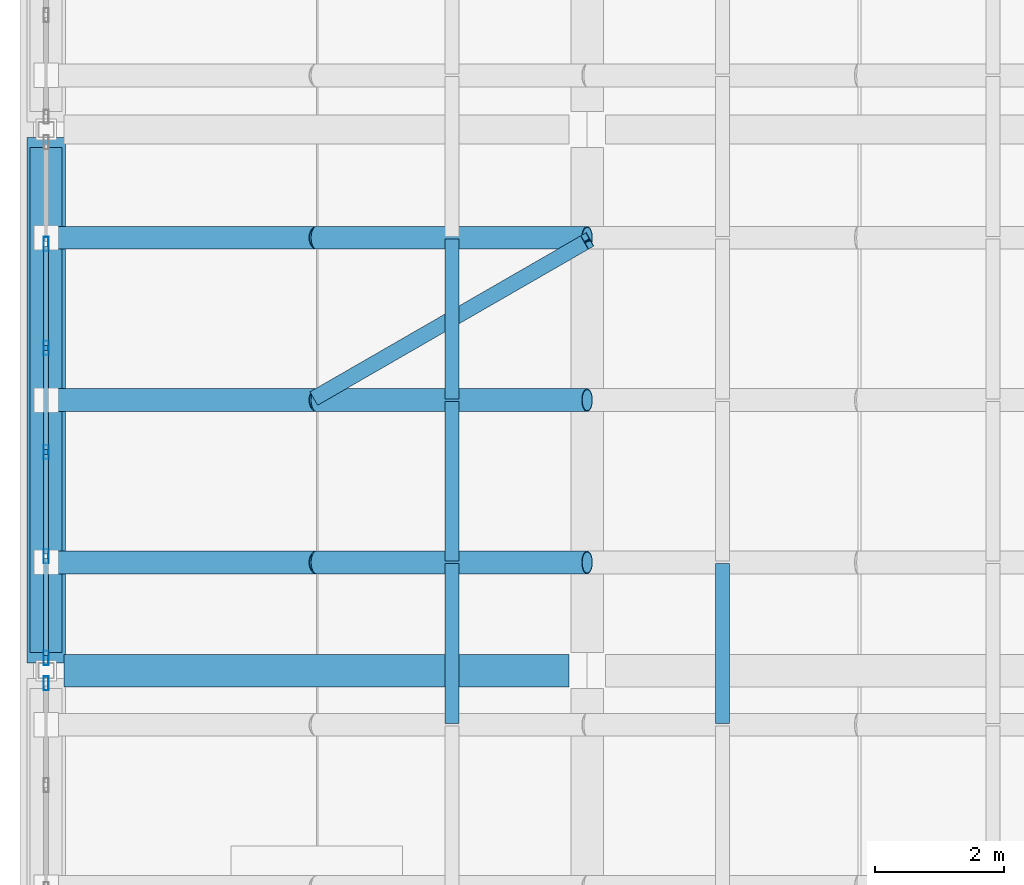
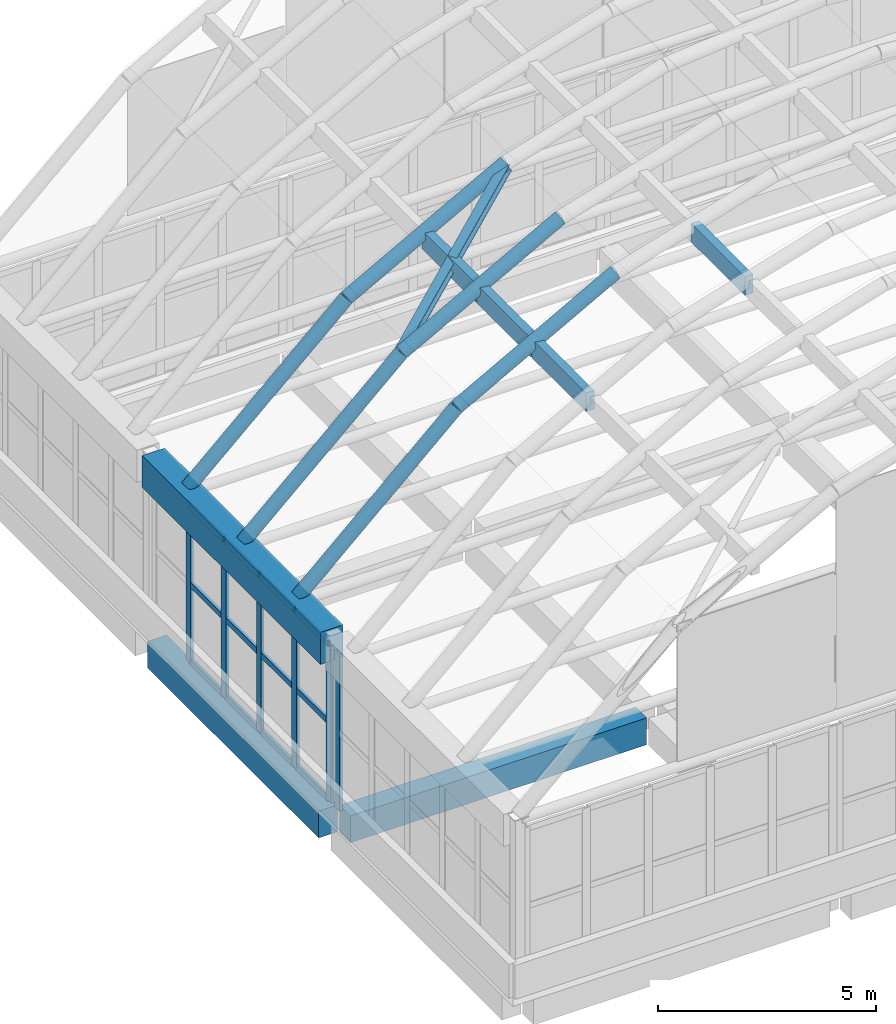
# One storey, part 5 of 26: 23 members, 9 beams, 2 elements without a shape of their own.
"""IFC4 building model written with IfcOpenShell, lengths in metres."""

from ifc_helpers import new_model, si_unit, direction, frame, origin, origin_2d, place, context, subcontext, project, spatial, rectangle, hollow_rectangle, hollow_circle, i_section, extrude, material, layer, layer_set, material_profile, profile_set, type_object, element, aggregate, save


model = new_model("IFC4")

# Units and contexts
model_context = context("Model", 3, precision=1e-05, world=origin(), true_north=direction((0.0, 1.0)))
body_context = subcontext(model_context, "Body", "Model", "MODEL_VIEW")
ifc_project = project(units=[si_unit("LENGTHUNIT", "METRE"), si_unit("AREAUNIT", "SQUARE_METRE"), si_unit("VOLUMEUNIT", "CUBIC_METRE"), si_unit("PLANEANGLEUNIT", "RADIAN"), si_unit("MASSUNIT", "GRAM", prefix="KILO")], contexts=[model_context])

# Site, building, storey
site_placement = place(None, origin())
site = spatial("IfcSite", under=ifc_project, at=site_placement, CompositionType="ELEMENT")
building_placement = place(site_placement, origin())
building = spatial("IfcBuilding", under=site, at=building_placement, Name="Xazarin Passage Department Store", CompositionType="ELEMENT")
storey_placement = place(building_placement, frame((0.0, 0.0, 36.89990234375)))
storey = spatial("IfcBuildingStorey", under=building, at=storey_placement, Name="RF", CompositionType="ELEMENT", Elevation=36.89990234375)

# Curtain wall, member
ifc_material_1 = material(Name="Bronze anodised aluminium", Category="aluminium")
ifc_layer = layer(ifc_material_1, 0.199951171875)
ifc_layer_set = layer_set([ifc_layer], Name="Bronze anodised aluminium")
curtain_wall_type = type_object("IfcCurtainWallType", Name="ARC-CW-VIT2", PredefinedType="NOTDEFINED", material=ifc_layer_set)
curtain_wall_1_placement = place(storey_placement, origin())
curtain_wall_1 = element("IfcCurtainWall", 1, at=curtain_wall_1_placement, inside=storey, type_object=curtain_wall_type, Name="RF V1 Atrium Lantern Curtain Wall 01", PredefinedType="NOTDEFINED")
ifc_material_profile_1 = material_profile(ifc_material_1, hollow_rectangle(XDim=0.074951171875, YDim=0.219970703125, WallThickness=0.0048828125, at=origin_2d()), Name="ALU 75x220")
ifc_profile_set_1 = profile_set([ifc_material_profile_1], Name="Bronze anodised aluminium")
member_type_1 = type_object("IfcMemberType", Name="ARC-CWM-75x220", PredefinedType="MULLION", material=ifc_profile_set_1)
member_1_placement = place(storey_placement, frame((0.0, 84.6025390625, 0.0), z_axis=(0.0, 0.0, 1.0), x_axis=(-1.0, 0.0, 0.0)))
member_1 = element("IfcMember", 2, at=member_1_placement, type_object=member_type_1, Name="CW2 mullion 6", PredefinedType="MULLION", context=body_context, shape_type="SweptSolid", body=[
    extrude(hollow_rectangle(XDim=0.074951171875, YDim=0.219970703125, WallThickness=0.0048828125, at=origin_2d()), origin(), (0.0, 0.0, 1.0), 4.404296875),
])
aggregate(curtain_wall_1, [member_1])

# Curtain wall, members
curtain_wall_2_placement = place(storey_placement, origin())
curtain_wall_2 = element("IfcCurtainWall", 3, at=curtain_wall_2_placement, inside=storey, type_object=curtain_wall_type, Name="RF V1 Atrium Lantern Curtain Wall 03", PredefinedType="NOTDEFINED")
member_2_placement = place(storey_placement, frame((0.0, 84.99755859375, 0.0), z_axis=(0.0, 0.0, 1.0), x_axis=(-1.0, 0.0, 0.0)))
member_2 = element("IfcMember", 4, at=member_2_placement, type_object=member_type_1, Name="CW2 mullion 1", PredefinedType="MULLION", context=body_context, shape_type="SweptSolid", body=[
    extrude(hollow_rectangle(XDim=0.074951171875, YDim=0.219970703125, WallThickness=0.0048828125, at=origin_2d()), origin(), (0.0, 0.0, 1.0), 4.404296875),
])
member_3_placement = place(storey_placement, frame((0.0, 86.575927734375, 0.0), z_axis=(0.0, 0.0, 1.0), x_axis=(-1.0, 0.0, 0.0)))
member_3 = element("IfcMember", 5, at=member_3_placement, type_object=member_type_1, Name="CW2 mullion 2", PredefinedType="MULLION", context=body_context, shape_type="SweptSolid", body=[
    extrude(hollow_rectangle(XDim=0.074951171875, YDim=0.219970703125, WallThickness=0.0048828125, at=origin_2d()), origin(), (0.0, 0.0, 1.0), 4.404296875),
])
member_4_placement = place(storey_placement, frame((0.0, 88.19189453125, 0.0), z_axis=(0.0, 0.0, 1.0), x_axis=(-1.0, 0.0, 0.0)))
member_4 = element("IfcMember", 6, at=member_4_placement, type_object=member_type_1, Name="CW2 mullion 3", PredefinedType="MULLION", context=body_context, shape_type="SweptSolid", body=[
    extrude(hollow_rectangle(XDim=0.074951171875, YDim=0.219970703125, WallThickness=0.0048828125, at=origin_2d()), origin(), (0.0, 0.0, 1.0), 4.404296875),
])
member_5_placement = place(storey_placement, frame((0.0, 89.80810546875, 0.0), z_axis=(0.0, 0.0, 1.0), x_axis=(-1.0, 0.0, 0.0)))
member_5 = element("IfcMember", 7, at=member_5_placement, type_object=member_type_1, Name="CW2 mullion 4", PredefinedType="MULLION", context=body_context, shape_type="SweptSolid", body=[
    extrude(hollow_rectangle(XDim=0.074951171875, YDim=0.219970703125, WallThickness=0.0048828125, at=origin_2d()), origin(), (0.0, 0.0, 1.0), 4.404296875),
])
member_6_placement = place(storey_placement, frame((0.0, 91.424072265625, 0.0), z_axis=(0.0, 0.0, 1.0), x_axis=(-1.0, 0.0, 0.0)))
member_6 = element("IfcMember", 8, at=member_6_placement, type_object=member_type_1, Name="CW2 mullion 5", PredefinedType="MULLION", context=body_context, shape_type="SweptSolid", body=[
    extrude(hollow_rectangle(XDim=0.074951171875, YDim=0.219970703125, WallThickness=0.0048828125, at=origin_2d()), origin(), (0.0, 0.0, 1.0), 4.404296875),
])
ifc_material_profile_2 = material_profile(ifc_material_1, hollow_rectangle(XDim=0.074951171875, YDim=0.159912109375, WallThickness=0.00439453125, at=origin_2d()), Name="ALU 75x160")
ifc_profile_set_2 = profile_set([ifc_material_profile_2], Name="Bronze anodised aluminium")
member_type_2 = type_object("IfcMemberType", Name="ARC-CWT-75x160", PredefinedType="USERDEFINED", material=ifc_profile_set_2)
member_7_placement = place(storey_placement, frame((0.0, 85.034912109375, 0.03759765625), z_axis=(0.0, 1.0, 0.0), x_axis=(-1.0, 0.0, 0.0)))
member_7 = element("IfcMember", 9, at=member_7_placement, type_object=member_type_2, Name="CW2 transom 1.1", ObjectType="TRANSOM", PredefinedType="USERDEFINED", context=body_context, shape_type="SweptSolid", body=[
    extrude(hollow_rectangle(XDim=0.074951171875, YDim=0.159912109375, WallThickness=0.00439453125, at=origin_2d()), origin(), (0.0, 0.0, 1.0), 1.503662109375),
])
member_8_placement = place(storey_placement, frame((0.0, 85.034912109375, 2.2021484375), z_axis=(0.0, 1.0, 0.0), x_axis=(-1.0, 0.0, 0.0)))
member_8 = element("IfcMember", 10, at=member_8_placement, type_object=member_type_2, Name="CW2 transom 1.2", ObjectType="TRANSOM", PredefinedType="USERDEFINED", context=body_context, shape_type="SweptSolid", body=[
    extrude(hollow_rectangle(XDim=0.074951171875, YDim=0.159912109375, WallThickness=0.00439453125, at=origin_2d()), origin(), (0.0, 0.0, 1.0), 1.503662109375),
])
member_9_placement = place(storey_placement, frame((0.0, 85.034912109375, 4.36669921875), z_axis=(0.0, 1.0, 0.0), x_axis=(-1.0, 0.0, 0.0)))
member_9 = element("IfcMember", 11, at=member_9_placement, type_object=member_type_2, Name="CW2 transom 1.3", ObjectType="TRANSOM", PredefinedType="USERDEFINED", context=body_context, shape_type="SweptSolid", body=[
    extrude(hollow_rectangle(XDim=0.074951171875, YDim=0.159912109375, WallThickness=0.00439453125, at=origin_2d()), origin(), (0.0, 0.0, 1.0), 1.503662109375),
])
member_10_placement = place(storey_placement, frame((0.0, 86.613525390625, 0.03759765625), z_axis=(0.0, 1.0, 0.0), x_axis=(-1.0, 0.0, 0.0)))
member_10 = element("IfcMember", 12, at=member_10_placement, type_object=member_type_2, Name="CW2 transom 2.1", ObjectType="TRANSOM", PredefinedType="USERDEFINED", context=body_context, shape_type="SweptSolid", body=[
    extrude(hollow_rectangle(XDim=0.074951171875, YDim=0.159912109375, WallThickness=0.00439453125, at=origin_2d()), origin(), (0.0, 0.0, 1.0), 1.541015625),
])
member_11_placement = place(storey_placement, frame((0.0, 86.613525390625, 2.2021484375), z_axis=(0.0, 1.0, 0.0), x_axis=(-1.0, 0.0, 0.0)))
member_11 = element("IfcMember", 13, at=member_11_placement, type_object=member_type_2, Name="CW2 transom 2.2", ObjectType="TRANSOM", PredefinedType="USERDEFINED", context=body_context, shape_type="SweptSolid", body=[
    extrude(hollow_rectangle(XDim=0.074951171875, YDim=0.159912109375, WallThickness=0.00439453125, at=origin_2d()), origin(), (0.0, 0.0, 1.0), 1.541015625),
])
member_12_placement = place(storey_placement, frame((0.0, 86.613525390625, 4.36669921875), z_axis=(0.0, 1.0, 0.0), x_axis=(-1.0, 0.0, 0.0)))
member_12 = element("IfcMember", 14, at=member_12_placement, type_object=member_type_2, Name="CW2 transom 2.3", ObjectType="TRANSOM", PredefinedType="USERDEFINED", context=body_context, shape_type="SweptSolid", body=[
    extrude(hollow_rectangle(XDim=0.074951171875, YDim=0.159912109375, WallThickness=0.00439453125, at=origin_2d()), origin(), (0.0, 0.0, 1.0), 1.541015625),
])
member_13_placement = place(storey_placement, frame((0.0, 88.2294921875, 0.03759765625), z_axis=(0.0, 1.0, 0.0), x_axis=(-1.0, 0.0, 0.0)))
member_13 = element("IfcMember", 15, at=member_13_placement, type_object=member_type_2, Name="CW2 transom 3.1", ObjectType="TRANSOM", PredefinedType="USERDEFINED", context=body_context, shape_type="SweptSolid", body=[
    extrude(hollow_rectangle(XDim=0.074951171875, YDim=0.159912109375, WallThickness=0.00439453125, at=origin_2d()), origin(), (0.0, 0.0, 1.0), 1.541015625),
])
member_14_placement = place(storey_placement, frame((0.0, 88.2294921875, 2.2021484375), z_axis=(0.0, 1.0, 0.0), x_axis=(-1.0, 0.0, 0.0)))
member_14 = element("IfcMember", 16, at=member_14_placement, type_object=member_type_2, Name="CW2 transom 3.2", ObjectType="TRANSOM", PredefinedType="USERDEFINED", context=body_context, shape_type="SweptSolid", body=[
    extrude(hollow_rectangle(XDim=0.074951171875, YDim=0.159912109375, WallThickness=0.00439453125, at=origin_2d()), origin(), (0.0, 0.0, 1.0), 1.541015625),
])
member_15_placement = place(storey_placement, frame((0.0, 88.2294921875, 4.36669921875), z_axis=(0.0, 1.0, 0.0), x_axis=(-1.0, 0.0, 0.0)))
member_15 = element("IfcMember", 17, at=member_15_placement, type_object=member_type_2, Name="CW2 transom 3.3", ObjectType="TRANSOM", PredefinedType="USERDEFINED", context=body_context, shape_type="SweptSolid", body=[
    extrude(hollow_rectangle(XDim=0.074951171875, YDim=0.159912109375, WallThickness=0.00439453125, at=origin_2d()), origin(), (0.0, 0.0, 1.0), 1.541015625),
])
member_16_placement = place(storey_placement, frame((0.0, 89.845458984375, 0.03759765625), z_axis=(0.0, 1.0, 0.0), x_axis=(-1.0, 0.0, 0.0)))
member_16 = element("IfcMember", 18, at=member_16_placement, type_object=member_type_2, Name="CW2 transom 4.1", ObjectType="TRANSOM", PredefinedType="USERDEFINED", context=body_context, shape_type="SweptSolid", body=[
    extrude(hollow_rectangle(XDim=0.074951171875, YDim=0.159912109375, WallThickness=0.00439453125, at=origin_2d()), origin(), (0.0, 0.0, 1.0), 1.541015625),
])
member_17_placement = place(storey_placement, frame((0.0, 89.845458984375, 2.2021484375), z_axis=(0.0, 1.0, 0.0), x_axis=(-1.0, 0.0, 0.0)))
member_17 = element("IfcMember", 19, at=member_17_placement, type_object=member_type_2, Name="CW2 transom 4.2", ObjectType="TRANSOM", PredefinedType="USERDEFINED", context=body_context, shape_type="SweptSolid", body=[
    extrude(hollow_rectangle(XDim=0.074951171875, YDim=0.159912109375, WallThickness=0.00439453125, at=origin_2d()), origin(), (0.0, 0.0, 1.0), 1.541015625),
])
member_18_placement = place(storey_placement, frame((0.0, 89.845458984375, 4.36669921875), z_axis=(0.0, 1.0, 0.0), x_axis=(-1.0, 0.0, 0.0)))
member_18 = element("IfcMember", 20, at=member_18_placement, type_object=member_type_2, Name="CW2 transom 4.3", ObjectType="TRANSOM", PredefinedType="USERDEFINED", context=body_context, shape_type="SweptSolid", body=[
    extrude(hollow_rectangle(XDim=0.074951171875, YDim=0.159912109375, WallThickness=0.00439453125, at=origin_2d()), origin(), (0.0, 0.0, 1.0), 1.541015625),
])
aggregate(curtain_wall_2, [member_2, member_3, member_4, member_5, member_6, member_7, member_8, member_9, member_10, member_11, member_12, member_13, member_14, member_15, member_16, member_17, member_18])

# Beams
ifc_material_2 = material(Name="Steel S355", Category="steel")
ifc_material_profile_3 = material_profile(ifc_material_2, hollow_circle(Radius=0.177734375, WallThickness=0.01611328125, at=origin_2d()), Name="CHS 355.6x16")
ifc_profile_set_3 = profile_set([ifc_material_profile_3], Name="Steel S355")
beam_type_1 = type_object("IfcBeamType", Name="STR-BM-AR355", PredefinedType="BEAM", material=ifc_profile_set_3)
beam_1_placement = place(storey_placement, frame((0.0, 86.47998046875, 4.80419921875), z_axis=(0.738872189824, 0.0, 0.673845595893), x_axis=(0.0, 1.0, 0.0)))
element("IfcBeam", 21, at=beam_1_placement, inside=storey, type_object=beam_type_1, Name="V1V Primary Arch Rib 5.1", PredefinedType="BEAM", context=body_context, shape_type="SweptSolid", body=[
    extrude(hollow_circle(Radius=0.177734375, WallThickness=0.01611328125, at=origin_2d()), origin(), (0.0, 0.0, 1.0), 5.684326171875),
])
beam_2_placement = place(storey_placement, frame((4.199951171875, 86.47998046875, 8.634521484375), z_axis=(0.877197007336, 0.0, 0.480130617978), x_axis=(0.0, 1.0, 0.0)))
element("IfcBeam", 22, at=beam_2_placement, inside=storey, type_object=beam_type_1, Name="V1V Primary Arch Rib 5.2", PredefinedType="BEAM", context=body_context, shape_type="SweptSolid", body=[
    extrude(hollow_circle(Radius=0.177734375, WallThickness=0.01611328125, at=origin_2d()), origin(), (0.0, 0.0, 1.0), 4.787841796875),
])
beam_3_placement = place(storey_placement, frame((0.0, 89.0, 4.80419921875), z_axis=(0.738872189824, 0.0, 0.673845595893), x_axis=(0.0, 1.0, 0.0)))
element("IfcBeam", 23, at=beam_3_placement, inside=storey, type_object=beam_type_1, Name="V1V Primary Arch Rib 6.1", PredefinedType="BEAM", context=body_context, shape_type="SweptSolid", body=[
    extrude(hollow_circle(Radius=0.177734375, WallThickness=0.01611328125, at=origin_2d()), origin(), (0.0, 0.0, 1.0), 5.684326171875),
])
beam_4_placement = place(storey_placement, frame((4.199951171875, 89.0, 8.634521484375), z_axis=(0.877197007336, 0.0, 0.480130617978), x_axis=(0.0, 1.0, 0.0)))
element("IfcBeam", 24, at=beam_4_placement, inside=storey, type_object=beam_type_1, Name="V1V Primary Arch Rib 6.2", PredefinedType="BEAM", context=body_context, shape_type="SweptSolid", body=[
    extrude(hollow_circle(Radius=0.177734375, WallThickness=0.01611328125, at=origin_2d()), origin(), (0.0, 0.0, 1.0), 4.787841796875),
])
beam_5_placement = place(storey_placement, frame((0.0, 91.52001953125, 4.80419921875), z_axis=(0.738872189824, 0.0, 0.673845595893), x_axis=(0.0, 1.0, 0.0)))
element("IfcBeam", 25, at=beam_5_placement, inside=storey, type_object=beam_type_1, Name="V1V Primary Arch Rib 7.1", PredefinedType="BEAM", context=body_context, shape_type="SweptSolid", body=[
    extrude(hollow_circle(Radius=0.177734375, WallThickness=0.01611328125, at=origin_2d()), origin(), (0.0, 0.0, 1.0), 5.684326171875),
])
beam_6_placement = place(storey_placement, frame((4.199951171875, 91.52001953125, 8.634521484375), z_axis=(0.877197007336, 0.0, 0.480130617978), x_axis=(0.0, 1.0, 0.0)))
element("IfcBeam", 26, at=beam_6_placement, inside=storey, type_object=beam_type_1, Name="V1V Primary Arch Rib 7.2", PredefinedType="BEAM", context=body_context, shape_type="SweptSolid", body=[
    extrude(hollow_circle(Radius=0.177734375, WallThickness=0.01611328125, at=origin_2d()), origin(), (0.0, 0.0, 1.0), 4.787841796875),
])
ifc_material_3 = material(Name="Concrete C40/50", Category="concrete")
ifc_material_profile_4 = material_profile(ifc_material_3, rectangle(XDim=0.60009765625, YDim=0.89990234375, at=origin_2d()), Name="RC 600x900")
ifc_profile_set_4 = profile_set([ifc_material_profile_4], Name="Concrete C40/50")
beam_type_2 = type_object("IfcBeamType", Name="STR-BM-RG600x900", PredefinedType="BEAM", material=ifc_profile_set_4)
beam_7_placement = place(storey_placement, frame((0.0, 84.919921875, 4.404296875), z_axis=(0.0, 1.0, 0.0), x_axis=(-1.0, 0.0, 0.0)))
element("IfcBeam", 27, at=beam_7_placement, inside=storey, type_object=beam_type_2, Name="V1V Springing Ring Girder W-2", PredefinedType="BEAM", context=body_context, shape_type="SweptSolid", body=[
    extrude(rectangle(XDim=0.60009765625, YDim=0.89990234375, at=origin_2d()), origin(), (0.0, 0.0, 1.0), 8.16015625),
])
ifc_material_4 = material(Name="Concrete C35/45", Category="concrete")
ifc_material_profile_5 = material_profile(ifc_material_4, rectangle(XDim=0.5, YDim=0.75, at=origin_2d()), Name="RC 500x750")
ifc_profile_set_5 = profile_set([ifc_material_profile_5], Name="Concrete C35/45")
beam_type_3 = type_object("IfcBeamType", Name="STR-BM-SP500x750", PredefinedType="SPANDREL", material=ifc_profile_set_5)
beam_8_placement = place(storey_placement, frame((0.280029296875, 84.800048828125, -0.635009765625), z_axis=(1.0, 0.0, 0.0), x_axis=(0.0, 1.0, 0.0)))
element("IfcBeam", 28, at=beam_8_placement, inside=storey, type_object=beam_type_3, Name="RF Grid Beam M/1-2", PredefinedType="SPANDREL", context=body_context, shape_type="SweptSolid", body=[
    extrude(rectangle(XDim=0.5, YDim=0.75, at=origin_2d()), origin(), (0.0, 0.0, 1.0), 7.840087890625),
])
beam_9_placement = place(storey_placement, frame((0.0, 85.080078125, -0.635009765625), z_axis=(0.0, 1.0, 0.0), x_axis=(-1.0, 0.0, 0.0)))
element("IfcBeam", 29, at=beam_9_placement, inside=storey, type_object=beam_type_3, Name="RF Grid Beam 1/M-N", PredefinedType="SPANDREL", context=body_context, shape_type="SweptSolid", body=[
    extrude(rectangle(XDim=0.5, YDim=0.75, at=origin_2d()), origin(), (0.0, 0.0, 1.0), 7.83984375),
])

# Members
ifc_material_5 = material(Name="Glulam GL28h", Category="wood")
ifc_material_profile_6 = material_profile(ifc_material_5, rectangle(XDim=0.219970703125, YDim=0.52001953125, at=origin_2d()), Name="GL28h 220x520")
ifc_profile_set_6 = profile_set([ifc_material_profile_6], Name="Glulam GL28h")
member_type_3 = type_object("IfcMemberType", Name="STR-MEM-GL520", PredefinedType="PURLIN", material=ifc_profile_set_6)
for number, where, z_axis, x_axis, name in (
    (30, (6.300048828125, 83.97998046875, 9.581787109375), (0.0, 1.0, 0.0), (-1.0, 0.0, 0.0), "V1V Glulam Gridshell Purlin 4.2"),
    (31, (10.5, 83.97998046875, 11.3623046875), (0.0, 1.0, 0.0), (-1.0, 0.0, 0.0), "V1V Glulam Gridshell Purlin 4.3"),
    (32, (6.300048828125, 86.5, 9.581787109375), (0.0, 1.0, 0.0), (-1.0, 0.0, 0.0), "V1V Glulam Gridshell Purlin 5.2"),
    (33, (6.300048828125, 89.02001953125, 9.581787109375), (0.0, 1.0, 0.0), (-1.0, 0.0, 0.0), "V1V Glulam Gridshell Purlin 6.2"),
):
    element("IfcMember", number, at=place(storey_placement, frame(where, z_axis=z_axis, x_axis=x_axis)), inside=storey, type_object=member_type_3, Name=name, PredefinedType="PURLIN", context=body_context, shape_type="SweptSolid", body=[
        extrude(rectangle(XDim=0.219970703125, YDim=0.52001953125, at=origin_2d()), origin(), (0.0, 0.0, 1.0), 2.47998046875),
    ])
ifc_material_profile_7 = material_profile(ifc_material_2, i_section(OverallWidth=0.239990234375, OverallDepth=0.239990234375, WebThickness=0.010009765625, FlangeThickness=0.01708984375, FilletRadius=0.02099609375, at=origin_2d()), Name="HEB 240")
ifc_profile_set_7 = profile_set([ifc_material_profile_7], Name="Steel S355")
member_type_4 = type_object("IfcMemberType", Name="STR-MEM-HB240", PredefinedType="BRACE", material=ifc_profile_set_7)
member_19_placement = place(storey_placement, frame((4.199951171875, 89.050048828125, 8.58447265625), z_axis=(0.782883550445, 0.451080727316, 0.428508487531), x_axis=(-0.499238382051, 0.866464677807, 0.0)))
element("IfcMember", 34, at=member_19_placement, inside=storey, type_object=member_type_4, Name="V1V Gridshell Diagonal Brace 6.1", PredefinedType="BRACE", context=body_context, shape_type="SweptSolid", body=[
    extrude(i_section(OverallWidth=0.239990234375, OverallDepth=0.239990234375, WebThickness=0.010009765625, FlangeThickness=0.01708984375, FilletRadius=0.02099609375, at=origin_2d()), origin(), (0.0, 0.0, 1.0), 5.36474609375),
])

save(model, "model.ifc")
